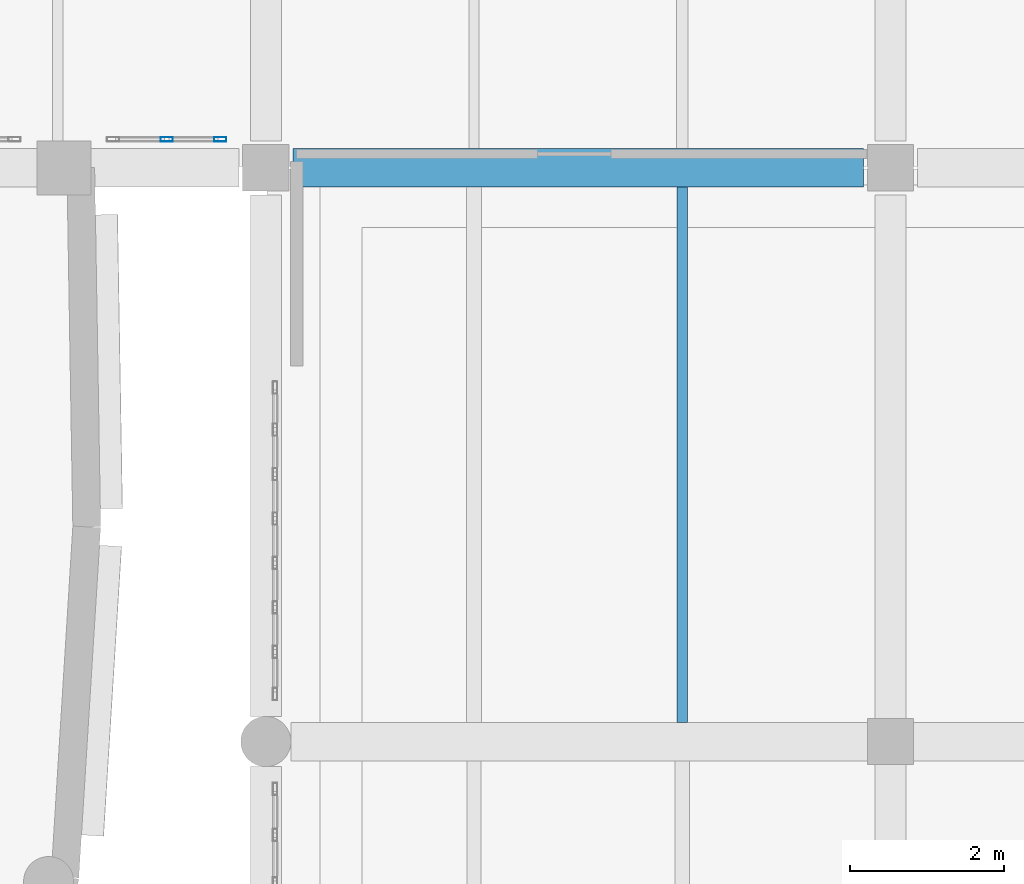
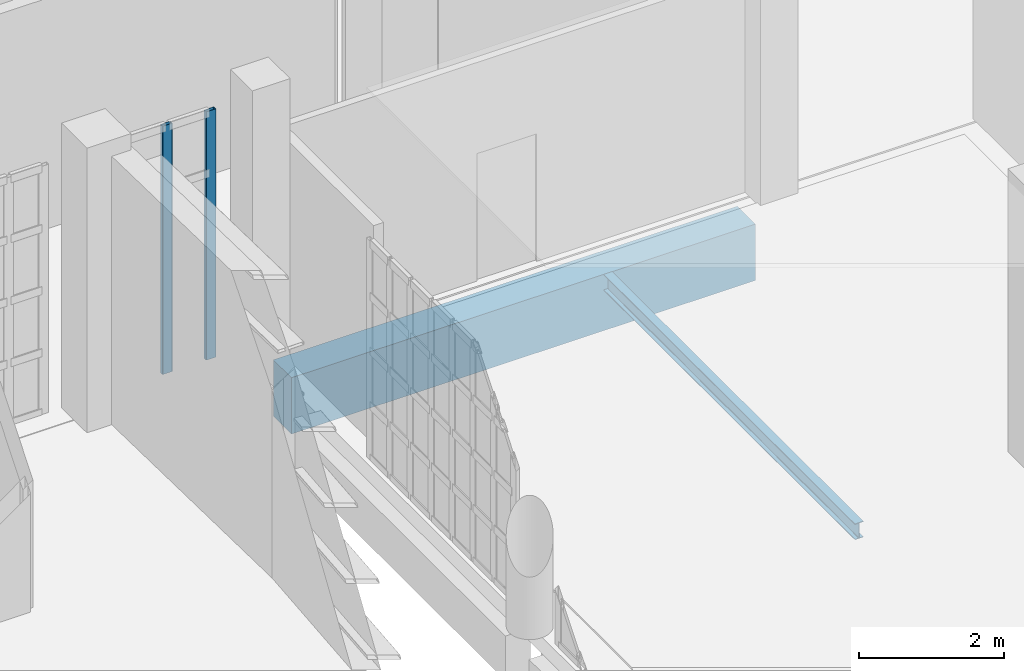
# One storey, part 42 of 104: 2 beams, 2 members, 1 element without a shape of its own.
"""IFC4 building model written with IfcOpenShell, lengths in metres."""

from ifc_helpers import new_model, si_unit, direction, frame, origin, origin_2d, place, context, subcontext, project, spatial, rectangle, hollow_rectangle, i_section, extrude, material, material_profile, profile_set, type_object, element, aggregate, save


model = new_model("IFC4")

# Units and contexts
model_context = context("Model", 3, precision=1e-05, world=origin(), true_north=direction((0.0, 1.0)))
body_context = subcontext(model_context, "Body", "Model", "MODEL_VIEW")
ifc_project = project(units=[si_unit("LENGTHUNIT", "METRE"), si_unit("AREAUNIT", "SQUARE_METRE"), si_unit("VOLUMEUNIT", "CUBIC_METRE"), si_unit("PLANEANGLEUNIT", "RADIAN"), si_unit("MASSUNIT", "GRAM", prefix="KILO")], contexts=[model_context])

# Site, building, storey
site_placement = place(None, origin())
site = spatial("IfcSite", under=ifc_project, at=site_placement, CompositionType="ELEMENT")
building_placement = place(site_placement, origin())
building = spatial("IfcBuilding", under=site, at=building_placement, Name="Kaelora Sail Theatre", CompositionType="ELEMENT")
storey_placement = place(building_placement, frame((0.0, 0.0, 5.39990234375)))
storey = spatial("IfcBuildingStorey", under=building, at=storey_placement, Name="L01", CompositionType="ELEMENT", Elevation=5.39990234375)

# Curtain wall, members
ifc_material_1 = material(Name="Anodised aluminium and solar-control low-E IGU", Category="aluminium")
curtain_wall_type = type_object("IfcCurtainWallType", Name="ARC-CW-CW-FOY2", PredefinedType="NOTDEFINED", material=ifc_material_1)
curtain_wall_placement = place(storey_placement, origin())
curtain_wall = element("IfcCurtainWall", 1, at=curtain_wall_placement, inside=storey, type_object=curtain_wall_type, Name="Glazed Foyer/Conservatory Curtain Wall FC2-S-L01-01", PredefinedType="NOTDEFINED")
ifc_material_2 = material(Name="Anodised aluminium 6063-T6", Category="aluminium")
ifc_material_profile_1 = material_profile(ifc_material_2, hollow_rectangle(XDim=0.06005859375, YDim=0.159912109375, WallThickness=0.00390625, InnerFilletRadius=0.00390625, OuterFilletRadius=0.008056640625, at=origin_2d()), Name="ALU-MULL 60x160x4")
ifc_profile_set_1 = profile_set([ifc_material_profile_1], Name="Anodised aluminium 6063-T6")
member_type = type_object("IfcMemberType", Name="ARC-MEM-ML-160", PredefinedType="MULLION", material=ifc_profile_set_1)
member_1_placement = place(storey_placement, frame((105.514892578125, 61.389892578125, 0.0), z_axis=(0.0, 0.0, 1.0), x_axis=(0.0, 1.0, 0.0)))
member_1 = element("IfcMember", 2, at=member_1_placement, type_object=member_type, Name="CW-FOY2 mullion 2", PredefinedType="MULLION", context=body_context, shape_type="SweptSolid", body=[
    extrude(hollow_rectangle(XDim=0.06005859375, YDim=0.159912109375, WallThickness=0.00390625, InnerFilletRadius=0.00390625, OuterFilletRadius=0.008056640625, at=origin_2d()), origin(), (0.0, 0.0, 1.0), 4.18701171875),
])
member_2_placement = place(storey_placement, frame((106.2099609375, 61.389892578125, 0.0), z_axis=(0.0, 0.0, 1.0), x_axis=(0.0, 1.0, 0.0)))
member_2 = element("IfcMember", 3, at=member_2_placement, type_object=member_type, Name="CW-FOY2 mullion 3", PredefinedType="MULLION", context=body_context, shape_type="SweptSolid", body=[
    extrude(hollow_rectangle(XDim=0.06005859375, YDim=0.159912109375, WallThickness=0.00390625, InnerFilletRadius=0.00390625, OuterFilletRadius=0.008056640625, at=origin_2d()), origin(), (0.0, 0.0, 1.0), 4.18701171875),
])
aggregate(curtain_wall, [member_1, member_2])

# Beams
ifc_material_3 = material(Name="Concrete C45/55", Category="concrete")
ifc_material_profile_2 = material_profile(ifc_material_3, rectangle(XDim=0.5, YDim=0.949951171875, at=origin_2d()), Name="RC-GRD 500x950")
ifc_profile_set_2 = profile_set([ifc_material_profile_2], Name="Concrete C45/55")
beam_type_1 = type_object("IfcBeamType", Name="STR-BM-GR-RC5095", PredefinedType="T_BEAM", material=ifc_profile_set_2)
beam_1_placement = place(storey_placement, frame((107.14990234375, 61.02001953125, -0.77001953125), z_axis=(1.0, 0.0, 0.0), x_axis=(0.0, 1.0, 0.0)))
element("IfcBeam", 4, at=beam_1_placement, inside=storey, type_object=beam_type_1, Name="Primary beam I 14-15 (L01)", PredefinedType="T_BEAM", context=body_context, shape_type="SweptSolid", body=[
    extrude(rectangle(XDim=0.5, YDim=0.949951171875, at=origin_2d()), origin(), (0.0, 0.0, 1.0), 7.400146484375),
])
ifc_material_4 = material(Name="Steel S355", Category="steel")
ifc_material_profile_3 = material_profile(ifc_material_4, i_section(OverallWidth=0.135009765625, OverallDepth=0.27001953125, WebThickness=0.006591796875, FlangeThickness=0.01025390625, FilletRadius=0.014892578125, at=origin_2d()), Name="IPE 270")
ifc_profile_set_3 = profile_set([ifc_material_profile_3], Name="Steel S355")
beam_type_2 = type_object("IfcBeamType", Name="STR-BM-JS-IPE270", PredefinedType="JOIST", material=ifc_profile_set_3)
beam_2_placement = place(storey_placement, frame((112.199951171875, 53.830078125, -0.429931640625), z_axis=(0.0, 1.0, 0.0), x_axis=(-1.0, 0.0, 0.0)))
element("IfcBeam", 5, at=beam_2_placement, inside=storey, type_object=beam_type_2, Name="Secondary floor joist 14/H-2 (L01)", PredefinedType="JOIST", context=body_context, shape_type="SweptSolid", body=[
    extrude(i_section(OverallWidth=0.135009765625, OverallDepth=0.27001953125, WebThickness=0.006591796875, FlangeThickness=0.01025390625, FilletRadius=0.014892578125, at=origin_2d()), origin(), (0.0, 0.0, 1.0), 6.93994140625),
])

save(model, "model.ifc")
